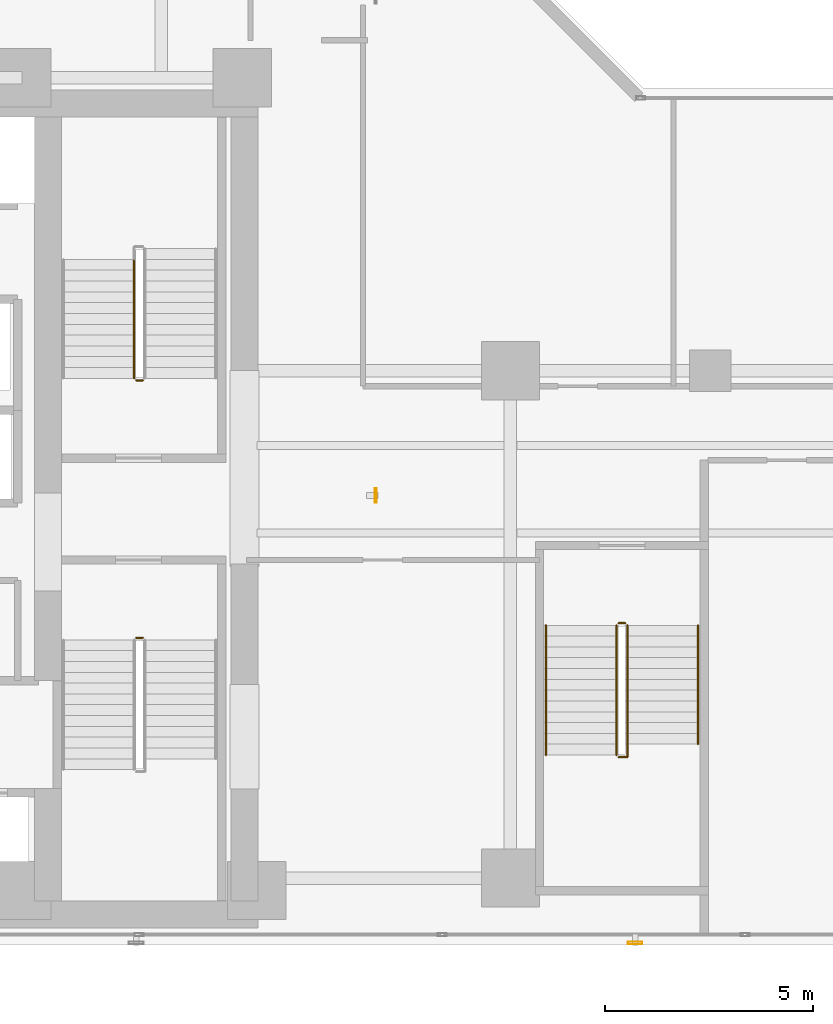
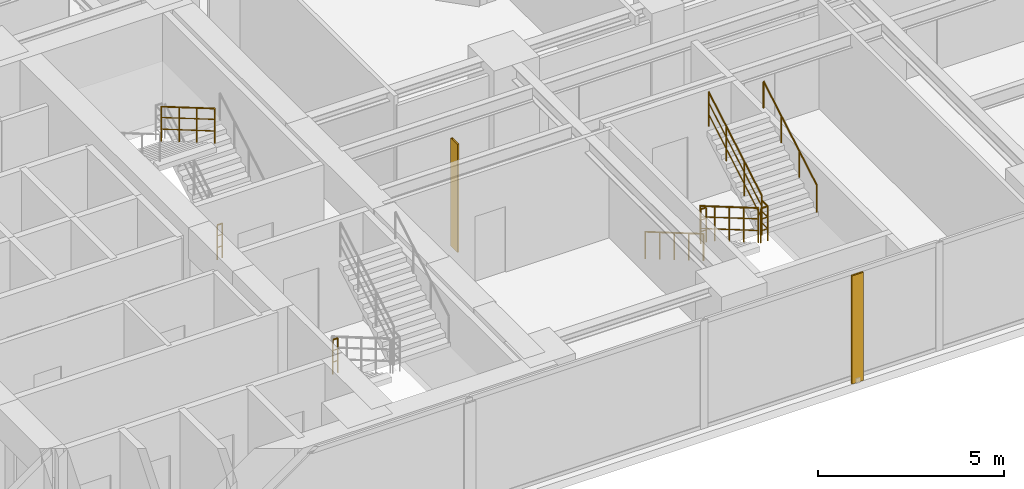
# One storey, part 25 of 28: 9 railings, 2 shading devices.
"""IFC4 building model written with IfcOpenShell, lengths in metres."""

from ifc_helpers import new_model, si_unit, direction, frame, origin, origin_2d, place, context, subcontext, project, spatial, hollow_rectangle, circle, extrude, material, material_profile, profile_set, type_object, element, save


model = new_model("IFC4")

# Units and contexts
model_context = context("Model", 3, precision=1e-05, world=origin(), true_north=direction((0.0, 1.0)))
body_context = subcontext(model_context, "Body", "Model", "MODEL_VIEW")
ifc_project = project(units=[si_unit("LENGTHUNIT", "METRE"), si_unit("AREAUNIT", "SQUARE_METRE"), si_unit("VOLUMEUNIT", "CUBIC_METRE"), si_unit("PLANEANGLEUNIT", "RADIAN"), si_unit("MASSUNIT", "GRAM", prefix="KILO")], contexts=[model_context])

# Site, building, storey
site_placement = place(None, origin())
site = spatial("IfcSite", under=ifc_project, at=site_placement, CompositionType="ELEMENT")
building_placement = place(site_placement, origin())
building = spatial("IfcBuilding", under=site, at=building_placement, Name="Kolvaren Waterfront Exchange", CompositionType="ELEMENT")
storey_placement = place(building_placement, frame((0.0, 0.0, 133.5)))
storey = spatial("IfcBuildingStorey", under=building, at=storey_placement, Name="L34", CompositionType="ELEMENT", Elevation=133.5)

# Shading devices
ifc_material_1 = material(Name="Anodised bronze aluminium 6063-T6", Category="aluminium")
ifc_material_profile = material_profile(ifc_material_1, hollow_rectangle(XDim=0.06005859375, YDim=0.35009765625, WallThickness=0.0048828125, at=origin_2d()), Name="BRZ-FIN-350x60x5")
ifc_profile_set = profile_set([ifc_material_profile], Name="Anodised bronze aluminium 6063-T6")
shading_device_type = type_object("IfcShadingDeviceType", Name="ARC-FIN-350", PredefinedType="USERDEFINED", material=ifc_profile_set)
for number, where, z_axis, x_axis, name in (
    (1, (30.199951171875, 3.639892578125, 0.0), (0.0, 0.0, 1.0), (0.0, -1.0, 0.0), "L34 anodised bronze solar shading fin FIN-L34-S3"),
    (2, (23.9599609375, 14.39990234375, 0.0), (0.0, 0.0, 1.0), (1.0, 0.0, 0.0), "L34 anodised bronze solar shading fin FIN-L34-E1"),
):
    element("IfcShadingDevice", number, at=place(storey_placement, frame(where, z_axis=z_axis, x_axis=x_axis)), inside=storey, type_object=shading_device_type, Name=name, ObjectType="SOLAR FIN", PredefinedType="USERDEFINED", context=body_context, shape_type="SweptSolid", body=[
        extrude(hollow_rectangle(XDim=0.06005859375, YDim=0.35009765625, WallThickness=0.0048828125, at=origin_2d()), origin(), (0.0, 0.0, 1.0), 3.5400390625),
    ])

# Railings
ifc_material_2 = material(Name="Stainless steel 316", Category="steel")
railing_type_1 = type_object("IfcRailingType", Name="ARC-GUARD-STAIR", PredefinedType="GUARDRAIL", material=ifc_material_2)
railing_1_placement = place(storey_placement, frame((18.199951171875, 10.97998046875, 0.0)))
element("IfcRailing", 3, at=railing_1_placement, inside=storey, type_object=railing_type_1, Name="L34 ST1 stair guard 4", PredefinedType="GUARDRAIL", context=body_context, shape_type="SweptSolid", body=[
    extrude(circle(Radius=0.02392578125, at=origin_2d()), frame((0.0, 0.0, 1.1259765625), z_axis=(1.0, 0.0, 0.0), x_axis=(0.0, 1.0, 0.0)), (0.0, 0.0, 1.0), 0.16015625),
    extrude(circle(Radius=0.01611328125, at=origin_2d()), frame((0.0, 0.0, 0.390869140625), z_axis=(1.0, 0.0, 0.0), x_axis=(0.0, 1.0, 0.0)), (0.0, 0.0, 1.0), 0.16015625),
    extrude(circle(Radius=0.01611328125, at=origin_2d()), frame((0.0, 0.0, 0.7705078125), z_axis=(1.0, 0.0, 0.0), x_axis=(0.0, 1.0, 0.0)), (0.0, 0.0, 1.0), 0.16015625),
    extrude(circle(Radius=0.02099609375, at=origin_2d()), origin(), (0.0, 0.0, 1.0), 1.101806640625),
    extrude(circle(Radius=0.02099609375, at=origin_2d()), frame((0.16015625, 0.0, 0.0)), (0.0, 0.0, 1.0), 1.101806640625),
])
railing_2_placement = place(storey_placement, frame((18.14990234375, 20.080078125, 2.1279296875)))
element("IfcRailing", 4, at=railing_2_placement, inside=storey, type_object=railing_type_1, Name="L34 ST2 stair guard 3", PredefinedType="GUARDRAIL", context=body_context, shape_type="SweptSolid", body=[
    extrude(circle(Radius=0.02392578125, at=origin_2d()), frame((0.0, 0.0, 1.1259765625), z_axis=(0.0, -0.863289384635, 0.504709261235), x_axis=(1.0, 0.0, 0.0)), (0.0, 0.0, 1.0), 3.31298828125),
    extrude(circle(Radius=0.01611328125, at=origin_2d()), frame((0.0, 0.0, 0.390869140625), z_axis=(0.0, -0.863289384635, 0.504709261235), x_axis=(1.0, 0.0, 0.0)), (0.0, 0.0, 1.0), 3.31298828125),
    extrude(circle(Radius=0.01611328125, at=origin_2d()), frame((0.0, 0.0, 0.7705078125), z_axis=(0.0, -0.863289384635, 0.504709261235), x_axis=(1.0, 0.0, 0.0)), (0.0, 0.0, 1.0), 3.31298828125),
    extrude(circle(Radius=0.02099609375, at=origin_2d()), origin(), (0.0, 0.0, 1.0), 1.101806640625),
    extrude(circle(Radius=0.02099609375, at=origin_2d()), frame((0.0, -0.953369140625, 0.557373046875)), (0.0, 0.0, 1.0), 1.101806640625),
    extrude(circle(Radius=0.02099609375, at=origin_2d()), frame((0.0, -1.90673828125, 1.11474609375)), (0.0, 0.0, 1.0), 1.101806640625),
    extrude(circle(Radius=0.02099609375, at=origin_2d()), frame((0.0, -2.860107421875, 1.672119140625)), (0.0, 0.0, 1.0), 1.101806640625),
])
railing_3_placement = place(storey_placement, frame((18.360107421875, 17.169921875, 0.0)))
element("IfcRailing", 5, at=railing_3_placement, inside=storey, type_object=railing_type_1, Name="L34 ST2 stair guard 4", PredefinedType="GUARDRAIL", context=body_context, shape_type="SweptSolid", body=[
    extrude(circle(Radius=0.02392578125, at=origin_2d()), frame((0.0, 0.0, 1.1259765625), z_axis=(-1.0, 0.0, 0.0), x_axis=(0.0, -1.0, 0.0)), (0.0, 0.0, 1.0), 0.16015625),
    extrude(circle(Radius=0.01611328125, at=origin_2d()), frame((0.0, 0.0, 0.390869140625), z_axis=(-1.0, 0.0, 0.0), x_axis=(0.0, -1.0, 0.0)), (0.0, 0.0, 1.0), 0.16015625),
    extrude(circle(Radius=0.01611328125, at=origin_2d()), frame((0.0, 0.0, 0.7705078125), z_axis=(-1.0, 0.0, 0.0), x_axis=(0.0, -1.0, 0.0)), (0.0, 0.0, 1.0), 0.16015625),
    extrude(circle(Radius=0.02099609375, at=origin_2d()), origin(), (0.0, 0.0, 1.0), 1.101806640625),
    extrude(circle(Radius=0.02099609375, at=origin_2d()), frame((-0.16015625, 0.0, 0.0)), (0.0, 0.0, 1.0), 1.101806640625),
])
railing_4_placement = place(storey_placement, frame((29.75, 11.280029296875, 0.152099609375)))
element("IfcRailing", 6, at=railing_4_placement, inside=storey, type_object=railing_type_1, Name="L34 ST3 stair guard 1", PredefinedType="GUARDRAIL", context=body_context, shape_type="SweptSolid", body=[
    extrude(circle(Radius=0.02392578125, at=origin_2d()), frame((0.0, 0.0, 1.1259765625), z_axis=(0.0, -0.86330811405, 0.504677223793), x_axis=(1.0, 0.0, 0.0)), (0.0, 0.0, 1.0), 3.6142578125),
    extrude(circle(Radius=0.01611328125, at=origin_2d()), frame((0.0, 0.0, 0.390869140625), z_axis=(0.0, -0.86330811405, 0.504677223793), x_axis=(1.0, 0.0, 0.0)), (0.0, 0.0, 1.0), 3.6142578125),
    extrude(circle(Radius=0.01611328125, at=origin_2d()), frame((0.0, 0.0, 0.7705078125), z_axis=(0.0, -0.86330811405, 0.504677223793), x_axis=(1.0, 0.0, 0.0)), (0.0, 0.0, 1.0), 3.6142578125),
    extrude(circle(Radius=0.02099609375, at=origin_2d()), origin(), (0.0, 0.0, 1.0), 1.101806640625),
    extrude(circle(Radius=0.02099609375, at=origin_2d()), frame((0.0, -0.780029296875, 0.4560546875)), (0.0, 0.0, 1.0), 1.101806640625),
    extrude(circle(Radius=0.02099609375, at=origin_2d()), frame((0.0, -1.56005859375, 0.912109375)), (0.0, 0.0, 1.0), 1.101806640625),
    extrude(circle(Radius=0.02099609375, at=origin_2d()), frame((0.0, -2.340087890625, 1.367919921875)), (0.0, 0.0, 1.0), 1.101806640625),
    extrude(circle(Radius=0.02099609375, at=origin_2d()), frame((0.0, -3.1201171875, 1.823974609375)), (0.0, 0.0, 1.0), 1.101806640625),
])
railing_5_placement = place(storey_placement, frame((29.800048828125, 8.110107421875, 1.97607421875)))
element("IfcRailing", 7, at=railing_5_placement, inside=storey, type_object=railing_type_1, Name="L34 ST3 stair guard 2", PredefinedType="GUARDRAIL", context=body_context, shape_type="SweptSolid", body=[
    extrude(circle(Radius=0.02392578125, at=origin_2d()), frame((0.0, 0.0, 1.1259765625), z_axis=(1.0, 0.0, 0.0), x_axis=(0.0, 1.0, 0.0)), (0.0, 0.0, 1.0), 0.2099609375),
    extrude(circle(Radius=0.01611328125, at=origin_2d()), frame((0.0, 0.0, 0.390869140625), z_axis=(1.0, 0.0, 0.0), x_axis=(0.0, 1.0, 0.0)), (0.0, 0.0, 1.0), 0.2099609375),
    extrude(circle(Radius=0.01611328125, at=origin_2d()), frame((0.0, 0.0, 0.7705078125), z_axis=(1.0, 0.0, 0.0), x_axis=(0.0, 1.0, 0.0)), (0.0, 0.0, 1.0), 0.2099609375),
    extrude(circle(Radius=0.02392578125, at=origin_2d()), frame((0.2099609375, 0.0, 1.1259765625), z_axis=(0.0, 1.0, 0.0), x_axis=(-1.0, 0.0, 0.0)), (0.0, 0.0, 1.0), 0.309814453125),
    extrude(circle(Radius=0.01611328125, at=origin_2d()), frame((0.2099609375, 0.0, 0.390869140625), z_axis=(0.0, 1.0, 0.0), x_axis=(-1.0, 0.0, 0.0)), (0.0, 0.0, 1.0), 0.309814453125),
    extrude(circle(Radius=0.01611328125, at=origin_2d()), frame((0.2099609375, 0.0, 0.7705078125), z_axis=(0.0, 1.0, 0.0), x_axis=(-1.0, 0.0, 0.0)), (0.0, 0.0, 1.0), 0.309814453125),
    extrude(circle(Radius=0.02099609375, at=origin_2d()), origin(), (0.0, 0.0, 1.0), 1.101806640625),
    extrude(circle(Radius=0.02099609375, at=origin_2d()), frame((0.2099609375, 0.0, 0.0)), (0.0, 0.0, 1.0), 1.101806640625),
    extrude(circle(Radius=0.02099609375, at=origin_2d()), frame((0.2099609375, 0.309814453125, 0.0)), (0.0, 0.0, 1.0), 1.101806640625),
])
railing_6_placement = place(storey_placement, frame((30.010009765625, 8.419921875, 2.1279296875)))
element("IfcRailing", 8, at=railing_6_placement, inside=storey, type_object=railing_type_1, Name="L34 ST3 stair guard 3", PredefinedType="GUARDRAIL", context=body_context, shape_type="SweptSolid", body=[
    extrude(circle(Radius=0.02392578125, at=origin_2d()), frame((0.0, 0.0, 1.1259765625), z_axis=(0.0, 0.863289384635, 0.504709261235), x_axis=(-1.0, 0.0, 0.0)), (0.0, 0.0, 1.0), 3.31298828125),
    extrude(circle(Radius=0.01611328125, at=origin_2d()), frame((0.0, 0.0, 0.390869140625), z_axis=(0.0, 0.863289384635, 0.504709261235), x_axis=(-1.0, 0.0, 0.0)), (0.0, 0.0, 1.0), 3.31298828125),
    extrude(circle(Radius=0.01611328125, at=origin_2d()), frame((0.0, 0.0, 0.7705078125), z_axis=(0.0, 0.863289384635, 0.504709261235), x_axis=(-1.0, 0.0, 0.0)), (0.0, 0.0, 1.0), 3.31298828125),
    extrude(circle(Radius=0.02099609375, at=origin_2d()), origin(), (0.0, 0.0, 1.0), 1.101806640625),
    extrude(circle(Radius=0.02099609375, at=origin_2d()), frame((0.0, 0.953369140625, 0.557373046875)), (0.0, 0.0, 1.0), 1.101806640625),
    extrude(circle(Radius=0.02099609375, at=origin_2d()), frame((0.0, 1.90673828125, 1.11474609375)), (0.0, 0.0, 1.0), 1.101806640625),
    extrude(circle(Radius=0.02099609375, at=origin_2d()), frame((0.0, 2.860107421875, 1.672119140625)), (0.0, 0.0, 1.0), 1.101806640625),
])
railing_7_placement = place(storey_placement, frame((29.800048828125, 11.330078125, 0.0)))
element("IfcRailing", 9, at=railing_7_placement, inside=storey, type_object=railing_type_1, Name="L34 ST3 stair guard 4", PredefinedType="GUARDRAIL", context=body_context, shape_type="SweptSolid", body=[
    extrude(circle(Radius=0.02392578125, at=origin_2d()), frame((0.0, 0.0, 1.1259765625), z_axis=(1.0, 0.0, 0.0), x_axis=(0.0, 1.0, 0.0)), (0.0, 0.0, 1.0), 0.159912109375),
    extrude(circle(Radius=0.01611328125, at=origin_2d()), frame((0.0, 0.0, 0.390869140625), z_axis=(1.0, 0.0, 0.0), x_axis=(0.0, 1.0, 0.0)), (0.0, 0.0, 1.0), 0.159912109375),
    extrude(circle(Radius=0.01611328125, at=origin_2d()), frame((0.0, 0.0, 0.7705078125), z_axis=(1.0, 0.0, 0.0), x_axis=(0.0, 1.0, 0.0)), (0.0, 0.0, 1.0), 0.159912109375),
    extrude(circle(Radius=0.02099609375, at=origin_2d()), origin(), (0.0, 0.0, 1.0), 1.101806640625),
    extrude(circle(Radius=0.02099609375, at=origin_2d()), frame((0.159912109375, 0.0, 0.0)), (0.0, 0.0, 1.0), 1.101806640625),
])
railing_type_2 = type_object("IfcRailingType", Name="ARC-HANDRAIL-900", PredefinedType="HANDRAIL", material=ifc_material_2)
railing_8_placement = place(storey_placement, frame((28.050048828125, 11.280029296875, 0.152099609375)))
element("IfcRailing", 10, at=railing_8_placement, inside=storey, type_object=railing_type_2, Name="L34 ST3 stair handrail 1", PredefinedType="HANDRAIL", context=body_context, shape_type="SweptSolid", body=[
    extrude(circle(Radius=0.02392578125, at=origin_2d()), frame((0.0, 0.0, 0.8759765625), z_axis=(0.0, -0.86330811405, 0.504677223793), x_axis=(1.0, 0.0, 0.0)), (0.0, 0.0, 1.0), 3.6142578125),
    extrude(circle(Radius=0.02099609375, at=origin_2d()), origin(), (0.0, 0.0, 1.0), 0.851806640625),
    extrude(circle(Radius=0.02099609375, at=origin_2d()), frame((0.0, -0.780029296875, 0.4560546875)), (0.0, 0.0, 1.0), 0.851806640625),
    extrude(circle(Radius=0.02099609375, at=origin_2d()), frame((0.0, -1.56005859375, 0.912109375)), (0.0, 0.0, 1.0), 0.851806640625),
    extrude(circle(Radius=0.02099609375, at=origin_2d()), frame((0.0, -2.340087890625, 1.367919921875)), (0.0, 0.0, 1.0), 0.851806640625),
    extrude(circle(Radius=0.02099609375, at=origin_2d()), frame((0.0, -3.1201171875, 1.823974609375)), (0.0, 0.0, 1.0), 0.851806640625),
])
railing_9_placement = place(storey_placement, frame((31.7099609375, 8.419921875, 2.1279296875)))
element("IfcRailing", 11, at=railing_9_placement, inside=storey, type_object=railing_type_2, Name="L34 ST3 stair handrail 2", PredefinedType="HANDRAIL", context=body_context, shape_type="SweptSolid", body=[
    extrude(circle(Radius=0.02392578125, at=origin_2d()), frame((0.0, 0.0, 0.8759765625), z_axis=(0.0, 0.863289384635, 0.504709261235), x_axis=(-1.0, 0.0, 0.0)), (0.0, 0.0, 1.0), 3.31298828125),
    extrude(circle(Radius=0.02099609375, at=origin_2d()), origin(), (0.0, 0.0, 1.0), 0.851806640625),
    extrude(circle(Radius=0.02099609375, at=origin_2d()), frame((0.0, 0.953369140625, 0.557373046875)), (0.0, 0.0, 1.0), 0.851806640625),
    extrude(circle(Radius=0.02099609375, at=origin_2d()), frame((0.0, 1.90673828125, 1.11474609375)), (0.0, 0.0, 1.0), 0.851806640625),
    extrude(circle(Radius=0.02099609375, at=origin_2d()), frame((0.0, 2.860107421875, 1.672119140625)), (0.0, 0.0, 1.0), 0.851806640625),
])

save(model, "model.ifc")
